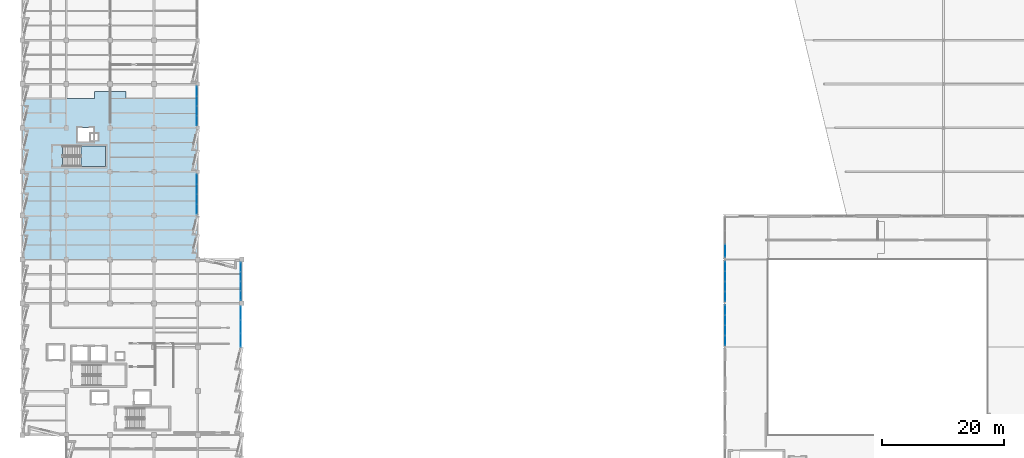
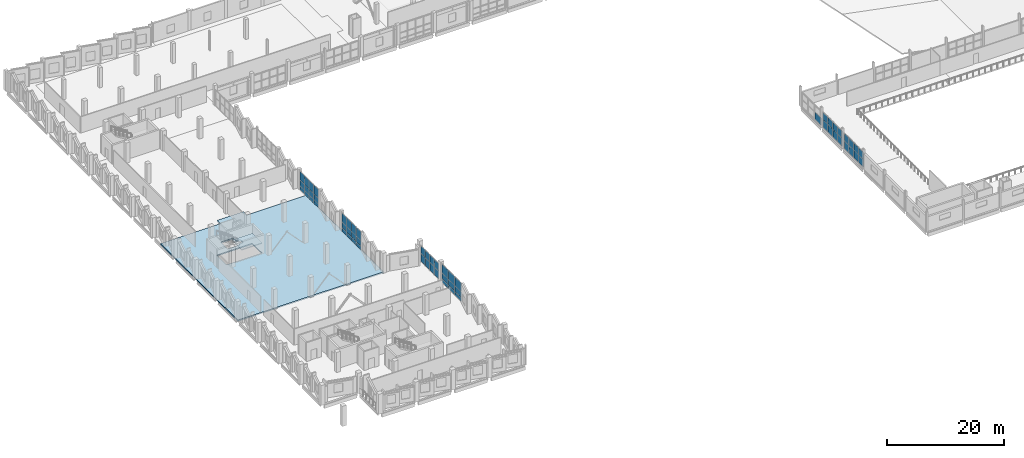
# One storey, part 59 of 94: 58 plates, 2 slabs, 8 elements without a shape of their own.
"""IFC4 building model written with IfcOpenShell, lengths in metres."""

from ifc_helpers import new_model, si_unit, direction, frame, origin, origin_2d, place, context, subcontext, project, spatial, polyline, rectangle, outline, extrude, material, layer, layer_set, type_object, element, aggregate, save


model = new_model("IFC4")

# Units and contexts
model_context = context("Model", 3, precision=1e-05, world=origin(), true_north=direction((0.0, 1.0)))
body_context = subcontext(model_context, "Body", "Model", "MODEL_VIEW")
ifc_project = project(units=[si_unit("LENGTHUNIT", "METRE"), si_unit("AREAUNIT", "SQUARE_METRE"), si_unit("VOLUMEUNIT", "CUBIC_METRE"), si_unit("PLANEANGLEUNIT", "RADIAN"), si_unit("MASSUNIT", "GRAM", prefix="KILO")], contexts=[model_context])

# Site, building, storey
site_placement = place(None, origin())
site = spatial("IfcSite", under=ifc_project, at=site_placement, CompositionType="ELEMENT")
building_placement = place(site_placement, origin())
building = spatial("IfcBuilding", under=site, at=building_placement, Name="Kalmorath City Hall", CompositionType="ELEMENT")
storey_placement = place(building_placement, frame((0.0, 0.0, 14.699951171875)))
storey = spatial("IfcBuildingStorey", under=building, at=storey_placement, Name="L03", CompositionType="ELEMENT", Elevation=14.699951171875)

# Curtain wall, plates
ifc_material_1 = material(Name="Anodised aluminium and laminated glass", Category="aluminium")
curtain_wall_type_1 = type_object("IfcCurtainWallType", Name="Unitised hurricane curtain wall 6420x3950 M1600", PredefinedType="NOTDEFINED", material=ifc_material_1)
curtain_wall_1_placement = place(storey_placement, origin())
curtain_wall_1 = element("IfcCurtainWall", 1, at=curtain_wall_1_placement, inside=storey, type_object=curtain_wall_type_1, Name="L03 curtain wall CW-64X40M16 #153", PredefinedType="NOTDEFINED")
ifc_material_2 = material(Name="Hurricane laminated low-E glass", Category="glass")
ifc_layer_1 = layer(ifc_material_2, 0.02392578125)
ifc_layer_set_1 = layer_set([ifc_layer_1], Name="Hurricane laminated low-E glass")
plate_type_1 = type_object("IfcPlateType", Name="Clerestory diffused glazed panel 24", PredefinedType="CURTAIN_PANEL", material=ifc_layer_set_1)
plate_1_placement = place(storey_placement, frame((28.639892578125, 63.59130859375, 0.06005859375), z_axis=(0.0, 0.0, 1.0), x_axis=(0.0, -1.0, 0.0)))
plate_1 = element("IfcPlate", 2, at=plate_1_placement, type_object=plate_type_1, Name="CW-64X40M16 panel 1.1", PredefinedType="CURTAIN_PANEL", context=body_context, shape_type="SweptSolid", body=[
    extrude(rectangle(XDim=1.507568359375, YDim=0.02392578125, at=origin_2d()), origin(), (0.0, 0.0, 1.0), 0.760009765625),
])
plate_2_placement = place(storey_placement, frame((28.639892578125, 63.59130859375, 0.880126953125), z_axis=(0.0, 0.0, 1.0), x_axis=(0.0, -1.0, 0.0)))
plate_2 = element("IfcPlate", 3, at=plate_2_placement, type_object=plate_type_1, Name="CW-64X40M16 panel 1.2", PredefinedType="CURTAIN_PANEL", context=body_context, shape_type="SweptSolid", body=[
    extrude(rectangle(XDim=1.507568359375, YDim=0.02392578125, at=origin_2d()), origin(), (0.0, 0.0, 1.0), 1.14404296875),
])
plate_3_placement = place(storey_placement, frame((28.639892578125, 63.59130859375, 2.083984375), z_axis=(0.0, 0.0, 1.0), x_axis=(0.0, -1.0, 0.0)))
plate_3 = element("IfcPlate", 4, at=plate_3_placement, type_object=plate_type_1, Name="CW-64X40M16 panel 1.3", PredefinedType="CURTAIN_PANEL", context=body_context, shape_type="SweptSolid", body=[
    extrude(rectangle(XDim=1.507568359375, YDim=0.02392578125, at=origin_2d()), origin(), (0.0, 0.0, 1.0), 1.805908203125),
])
plate_4_placement = place(storey_placement, frame((28.639892578125, 62.00244140625, 0.06005859375), z_axis=(0.0, 0.0, 1.0), x_axis=(0.0, -1.0, 0.0)))
plate_4 = element("IfcPlate", 5, at=plate_4_placement, type_object=plate_type_1, Name="CW-64X40M16 panel 2.1", PredefinedType="CURTAIN_PANEL", context=body_context, shape_type="SweptSolid", body=[
    extrude(rectangle(XDim=1.5400390625, YDim=0.02392578125, at=origin_2d()), origin(), (0.0, 0.0, 1.0), 0.760009765625),
])
plate_5_placement = place(storey_placement, frame((28.639892578125, 62.00244140625, 0.880126953125), z_axis=(0.0, 0.0, 1.0), x_axis=(0.0, -1.0, 0.0)))
plate_5 = element("IfcPlate", 6, at=plate_5_placement, type_object=plate_type_1, Name="CW-64X40M16 panel 2.2", PredefinedType="CURTAIN_PANEL", context=body_context, shape_type="SweptSolid", body=[
    extrude(rectangle(XDim=1.5400390625, YDim=0.02392578125, at=origin_2d()), origin(), (0.0, 0.0, 1.0), 1.14404296875),
])
plate_6_placement = place(storey_placement, frame((28.639892578125, 62.00244140625, 2.083984375), z_axis=(0.0, 0.0, 1.0), x_axis=(0.0, -1.0, 0.0)))
plate_6 = element("IfcPlate", 7, at=plate_6_placement, type_object=plate_type_1, Name="CW-64X40M16 panel 2.3", PredefinedType="CURTAIN_PANEL", context=body_context, shape_type="SweptSolid", body=[
    extrude(rectangle(XDim=1.5400390625, YDim=0.02392578125, at=origin_2d()), origin(), (0.0, 0.0, 1.0), 1.805908203125),
])
plate_7_placement = place(storey_placement, frame((28.639892578125, 60.3974609375, 0.06005859375), z_axis=(0.0, 0.0, 1.0), x_axis=(0.0, -1.0, 0.0)))
plate_7 = element("IfcPlate", 8, at=plate_7_placement, type_object=plate_type_1, Name="CW-64X40M16 panel 3.1", PredefinedType="CURTAIN_PANEL", context=body_context, shape_type="SweptSolid", body=[
    extrude(rectangle(XDim=1.5400390625, YDim=0.02392578125, at=origin_2d()), origin(), (0.0, 0.0, 1.0), 0.760009765625),
])
plate_8_placement = place(storey_placement, frame((28.639892578125, 60.3974609375, 0.880126953125), z_axis=(0.0, 0.0, 1.0), x_axis=(0.0, -1.0, 0.0)))
plate_8 = element("IfcPlate", 9, at=plate_8_placement, type_object=plate_type_1, Name="CW-64X40M16 panel 3.2", PredefinedType="CURTAIN_PANEL", context=body_context, shape_type="SweptSolid", body=[
    extrude(rectangle(XDim=1.5400390625, YDim=0.02392578125, at=origin_2d()), origin(), (0.0, 0.0, 1.0), 1.14404296875),
])
plate_9_placement = place(storey_placement, frame((28.639892578125, 60.3974609375, 2.083984375), z_axis=(0.0, 0.0, 1.0), x_axis=(0.0, -1.0, 0.0)))
plate_9 = element("IfcPlate", 10, at=plate_9_placement, type_object=plate_type_1, Name="CW-64X40M16 panel 3.3", PredefinedType="CURTAIN_PANEL", context=body_context, shape_type="SweptSolid", body=[
    extrude(rectangle(XDim=1.5400390625, YDim=0.02392578125, at=origin_2d()), origin(), (0.0, 0.0, 1.0), 1.805908203125),
])
plate_10_placement = place(storey_placement, frame((28.639892578125, 58.808837890625, 0.06005859375), z_axis=(0.0, 0.0, 1.0), x_axis=(0.0, -1.0, 0.0)))
plate_10 = element("IfcPlate", 11, at=plate_10_placement, type_object=plate_type_1, Name="CW-64X40M16 panel 4.1", PredefinedType="CURTAIN_PANEL", context=body_context, shape_type="SweptSolid", body=[
    extrude(rectangle(XDim=1.507568359375, YDim=0.02392578125, at=origin_2d()), origin(), (0.0, 0.0, 1.0), 0.760009765625),
])
plate_11_placement = place(storey_placement, frame((28.639892578125, 58.808837890625, 0.880126953125), z_axis=(0.0, 0.0, 1.0), x_axis=(0.0, -1.0, 0.0)))
plate_11 = element("IfcPlate", 12, at=plate_11_placement, type_object=plate_type_1, Name="CW-64X40M16 panel 4.2", PredefinedType="CURTAIN_PANEL", context=body_context, shape_type="SweptSolid", body=[
    extrude(rectangle(XDim=1.507568359375, YDim=0.02392578125, at=origin_2d()), origin(), (0.0, 0.0, 1.0), 1.14404296875),
])
plate_12_placement = place(storey_placement, frame((28.639892578125, 58.808837890625, 2.083984375), z_axis=(0.0, 0.0, 1.0), x_axis=(0.0, -1.0, 0.0)))
plate_12 = element("IfcPlate", 13, at=plate_12_placement, type_object=plate_type_1, Name="CW-64X40M16 panel 4.3", PredefinedType="CURTAIN_PANEL", context=body_context, shape_type="SweptSolid", body=[
    extrude(rectangle(XDim=1.507568359375, YDim=0.02392578125, at=origin_2d()), origin(), (0.0, 0.0, 1.0), 1.805908203125),
])
aggregate(curtain_wall_1, [plate_1, plate_2, plate_3, plate_4, plate_5, plate_6, plate_7, plate_8, plate_9, plate_10, plate_11, plate_12])

ifc_material_3 = material(Name="Anodised aluminium and laminated glass", Category="aluminium")
curtain_wall_type_2 = type_object("IfcCurtainWallType", Name="Unitised hurricane curtain wall 6543x3950 M1600", PredefinedType="NOTDEFINED", material=ifc_material_3)
curtain_wall_2_placement = place(storey_placement, origin())
curtain_wall_2 = element("IfcCurtainWall", 14, at=curtain_wall_2_placement, inside=storey, type_object=curtain_wall_type_2, Name="L03 curtain wall CW-65X40M16 #154", PredefinedType="NOTDEFINED")
plate_13_placement = place(storey_placement, frame((28.639892578125, 49.17578125, 0.06005859375), z_axis=(0.0, 0.0, 1.0), x_axis=(0.0, -1.0, 0.0)))
plate_13 = element("IfcPlate", 15, at=plate_13_placement, type_object=plate_type_1, Name="CW-65X40M16 panel 1.1", PredefinedType="CURTAIN_PANEL", context=body_context, shape_type="SweptSolid", body=[
    extrude(rectangle(XDim=1.538330078125, YDim=0.02392578125, at=origin_2d()), origin(), (0.0, 0.0, 1.0), 0.760009765625),
])
plate_14_placement = place(storey_placement, frame((28.639892578125, 49.17578125, 0.880126953125), z_axis=(0.0, 0.0, 1.0), x_axis=(0.0, -1.0, 0.0)))
plate_14 = element("IfcPlate", 16, at=plate_14_placement, type_object=plate_type_1, Name="CW-65X40M16 panel 1.2", PredefinedType="CURTAIN_PANEL", context=body_context, shape_type="SweptSolid", body=[
    extrude(rectangle(XDim=1.538330078125, YDim=0.02392578125, at=origin_2d()), origin(), (0.0, 0.0, 1.0), 1.14404296875),
])
plate_15_placement = place(storey_placement, frame((28.639892578125, 49.17578125, 2.083984375), z_axis=(0.0, 0.0, 1.0), x_axis=(0.0, -1.0, 0.0)))
plate_15 = element("IfcPlate", 17, at=plate_15_placement, type_object=plate_type_1, Name="CW-65X40M16 panel 1.3", PredefinedType="CURTAIN_PANEL", context=body_context, shape_type="SweptSolid", body=[
    extrude(rectangle(XDim=1.538330078125, YDim=0.02392578125, at=origin_2d()), origin(), (0.0, 0.0, 1.0), 1.805908203125),
])
plate_16_placement = place(storey_placement, frame((28.639892578125, 47.55615234375, 0.06005859375), z_axis=(0.0, 0.0, 1.0), x_axis=(0.0, -1.0, 0.0)))
plate_16 = element("IfcPlate", 18, at=plate_16_placement, type_object=plate_type_1, Name="CW-65X40M16 panel 2.1", PredefinedType="CURTAIN_PANEL", context=body_context, shape_type="SweptSolid", body=[
    extrude(rectangle(XDim=1.57080078125, YDim=0.02392578125, at=origin_2d()), origin(), (0.0, 0.0, 1.0), 0.760009765625),
])
plate_17_placement = place(storey_placement, frame((28.639892578125, 47.55615234375, 0.880126953125), z_axis=(0.0, 0.0, 1.0), x_axis=(0.0, -1.0, 0.0)))
plate_17 = element("IfcPlate", 19, at=plate_17_placement, type_object=plate_type_1, Name="CW-65X40M16 panel 2.2", PredefinedType="CURTAIN_PANEL", context=body_context, shape_type="SweptSolid", body=[
    extrude(rectangle(XDim=1.57080078125, YDim=0.02392578125, at=origin_2d()), origin(), (0.0, 0.0, 1.0), 1.14404296875),
])
plate_18_placement = place(storey_placement, frame((28.639892578125, 47.55615234375, 2.083984375), z_axis=(0.0, 0.0, 1.0), x_axis=(0.0, -1.0, 0.0)))
plate_18 = element("IfcPlate", 20, at=plate_18_placement, type_object=plate_type_1, Name="CW-65X40M16 panel 2.3", PredefinedType="CURTAIN_PANEL", context=body_context, shape_type="SweptSolid", body=[
    extrude(rectangle(XDim=1.57080078125, YDim=0.02392578125, at=origin_2d()), origin(), (0.0, 0.0, 1.0), 1.805908203125),
])
plate_19_placement = place(storey_placement, frame((28.639892578125, 45.92041015625, 0.06005859375), z_axis=(0.0, 0.0, 1.0), x_axis=(0.0, -1.0, 0.0)))
plate_19 = element("IfcPlate", 21, at=plate_19_placement, type_object=plate_type_1, Name="CW-65X40M16 panel 3.1", PredefinedType="CURTAIN_PANEL", context=body_context, shape_type="SweptSolid", body=[
    extrude(rectangle(XDim=1.57080078125, YDim=0.02392578125, at=origin_2d()), origin(), (0.0, 0.0, 1.0), 0.760009765625),
])
plate_20_placement = place(storey_placement, frame((28.639892578125, 45.92041015625, 0.880126953125), z_axis=(0.0, 0.0, 1.0), x_axis=(0.0, -1.0, 0.0)))
plate_20 = element("IfcPlate", 22, at=plate_20_placement, type_object=plate_type_1, Name="CW-65X40M16 panel 3.2", PredefinedType="CURTAIN_PANEL", context=body_context, shape_type="SweptSolid", body=[
    extrude(rectangle(XDim=1.57080078125, YDim=0.02392578125, at=origin_2d()), origin(), (0.0, 0.0, 1.0), 1.14404296875),
])
plate_21_placement = place(storey_placement, frame((28.639892578125, 45.92041015625, 2.083984375), z_axis=(0.0, 0.0, 1.0), x_axis=(0.0, -1.0, 0.0)))
plate_21 = element("IfcPlate", 23, at=plate_21_placement, type_object=plate_type_1, Name="CW-65X40M16 panel 3.3", PredefinedType="CURTAIN_PANEL", context=body_context, shape_type="SweptSolid", body=[
    extrude(rectangle(XDim=1.57080078125, YDim=0.02392578125, at=origin_2d()), origin(), (0.0, 0.0, 1.0), 1.805908203125),
])
plate_22_placement = place(storey_placement, frame((28.639892578125, 44.30078125, 0.06005859375), z_axis=(0.0, 0.0, 1.0), x_axis=(0.0, -1.0, 0.0)))
plate_22 = element("IfcPlate", 24, at=plate_22_placement, type_object=plate_type_1, Name="CW-65X40M16 panel 4.1", PredefinedType="CURTAIN_PANEL", context=body_context, shape_type="SweptSolid", body=[
    extrude(rectangle(XDim=1.538330078125, YDim=0.02392578125, at=origin_2d()), origin(), (0.0, 0.0, 1.0), 0.760009765625),
])
plate_23_placement = place(storey_placement, frame((28.639892578125, 44.30078125, 0.880126953125), z_axis=(0.0, 0.0, 1.0), x_axis=(0.0, -1.0, 0.0)))
plate_23 = element("IfcPlate", 25, at=plate_23_placement, type_object=plate_type_1, Name="CW-65X40M16 panel 4.2", PredefinedType="CURTAIN_PANEL", context=body_context, shape_type="SweptSolid", body=[
    extrude(rectangle(XDim=1.538330078125, YDim=0.02392578125, at=origin_2d()), origin(), (0.0, 0.0, 1.0), 1.14404296875),
])
plate_24_placement = place(storey_placement, frame((28.639892578125, 44.30078125, 2.083984375), z_axis=(0.0, 0.0, 1.0), x_axis=(0.0, -1.0, 0.0)))
plate_24 = element("IfcPlate", 26, at=plate_24_placement, type_object=plate_type_1, Name="CW-65X40M16 panel 4.3", PredefinedType="CURTAIN_PANEL", context=body_context, shape_type="SweptSolid", body=[
    extrude(rectangle(XDim=1.538330078125, YDim=0.02392578125, at=origin_2d()), origin(), (0.0, 0.0, 1.0), 1.805908203125),
])
aggregate(curtain_wall_2, [plate_13, plate_14, plate_15, plate_16, plate_17, plate_18, plate_19, plate_20, plate_21, plate_22, plate_23, plate_24])

# Stair, slab
ifc_material_4 = material(Name="Concrete C40/50", Category="concrete")
stair_type = type_object("IfcStairType", Name="Dogleg concrete exit stair 24R x 175mm W1550", PredefinedType="HALF_TURN_STAIR", material=ifc_material_4)
stair_placement = place(storey_placement, origin())
stair = element("IfcStair", 27, at=stair_placement, inside=storey, type_object=stair_type, Name="L03 Protected exit stair ST-3", PredefinedType="HALF_TURN_STAIR")
ifc_material_5 = material(Name="Concrete C40/50", Category="concrete")
ifc_layer_2 = layer(ifc_material_5, 0.199951171875)
ifc_layer_set_2 = layer_set([ifc_layer_2], Name="Concrete C40/50")
slab_type_1 = type_object("IfcSlabType", Name="Concrete stair half-landing slab 200", PredefinedType="LANDING", material=ifc_layer_set_2)
slab_1_placement = place(storey_placement, frame((0.0, 0.0, 1.900146484375)))
slab_1 = element("IfcSlab", 28, at=slab_1_placement, type_object=slab_type_1, Name="ST-3 landing 1", PredefinedType="LANDING", context=body_context, shape_type="SweptSolid", body=[
    extrude(outline(polyline([(9.6298828125, 51.300048828125), (13.60009765625, 51.300048828125), (13.60009765625, 54.60009765625), (9.6298828125, 54.60009765625), (9.6298828125, 51.300048828125)])), origin(), (0.0, 0.0, 1.0), 0.199951171875),
])
aggregate(stair, [slab_1])

# Slab
ifc_material_6 = material(Name="Concrete C40/50", Category="concrete")
ifc_layer_3 = layer(ifc_material_6, 0.260009765625)
ifc_layer_set_3 = layer_set([ifc_layer_3], Name="Concrete C40/50")
slab_type_2 = type_object("IfcSlabType", Name="Concrete upper floor slab 260", PredefinedType="FLOOR", material=ifc_layer_set_3)
slab_2_placement = place(storey_placement, frame((0.0, 0.0, -0.260009765625)))
element("IfcSlab", 29, at=slab_2_placement, inside=storey, type_object=slab_type_2, Name="L03 West Sawtooth Wing and Civic Storm Arcade slab FS4-1", PredefinedType="FLOOR", context=body_context, shape_type="SweptSolid", body=[
    extrude(outline(polyline([(0.0, 36.0), (0.0, 62.39990234375), (11.800048828125, 62.39990234375), (11.800048828125, 63.550048828125), (17.0, 63.550048828125), (17.0, 62.39990234375), (28.800048828125, 62.39990234375), (28.800048828125, 36.0), (0.0, 36.0)]), holes=[polyline([(6.590087890625, 54.60009765625), (6.590087890625, 51.300048828125), (13.60009765625, 51.300048828125), (13.60009765625, 54.60009765625), (6.590087890625, 54.60009765625)]), polyline([(11.60009765625, 55.60009765625), (12.39990234375, 55.60009765625), (12.39990234375, 56.679931640625), (11.60009765625, 56.679931640625), (11.60009765625, 57.60009765625), (9.10009765625, 57.60009765625), (9.10009765625, 55.300048828125), (11.60009765625, 55.300048828125), (11.60009765625, 55.60009765625)])]), origin(), (0.0, 0.0, 1.0), 0.260009765625),
])

# Curtain wall, plates
ifc_material_7 = material(Name="Anodised aluminium and laminated glass", Category="aluminium")
curtain_wall_type_3 = type_object("IfcCurtainWallType", Name="Unitised hurricane curtain wall 6270x3366 M1500", PredefinedType="NOTDEFINED", material=ifc_material_7)
curtain_wall_3_placement = place(storey_placement, origin())
curtain_wall_3 = element("IfcCurtainWall", 30, at=curtain_wall_3_placement, inside=storey, type_object=curtain_wall_type_3, Name="L03 curtain wall CW-63X34M15 #155", PredefinedType="NOTDEFINED")
ifc_material_8 = material(Name="Hurricane laminated low-E glass", Category="glass")
ifc_layer_4 = layer(ifc_material_8, 0.031982421875)
ifc_layer_set_4 = layer_set([ifc_layer_4], Name="Hurricane laminated low-E glass")
plate_type_2 = type_object("IfcPlateType", Name="Hurricane impact double-glazed panel 32", PredefinedType="CURTAIN_PANEL", material=ifc_layer_set_4)
plate_25_placement = place(storey_placement, frame((35.840087890625, 34.732421875, 0.06494140625), z_axis=(0.0, 0.0, 1.0), x_axis=(0.0, -1.0, 0.0)))
plate_25 = element("IfcPlate", 31, at=plate_25_placement, type_object=plate_type_2, Name="CW-63X34M15 panel 1.1", PredefinedType="CURTAIN_PANEL", context=body_context, shape_type="SweptSolid", body=[
    extrude(rectangle(XDim=1.455078125, YDim=0.031982421875, at=origin_2d()), origin(), (0.0, 0.0, 1.0), 1.652587890625),
])
plate_26_placement = place(storey_placement, frame((35.840087890625, 34.732421875, 1.782470703125), z_axis=(0.0, 0.0, 1.0), x_axis=(0.0, -1.0, 0.0)))
plate_26 = element("IfcPlate", 32, at=plate_26_placement, type_object=plate_type_2, Name="CW-63X34M15 panel 1.2", PredefinedType="CURTAIN_PANEL", context=body_context, shape_type="SweptSolid", body=[
    extrude(rectangle(XDim=1.455078125, YDim=0.031982421875, at=origin_2d()), origin(), (0.0, 0.0, 1.0), 1.5185546875),
])
plate_27_placement = place(storey_placement, frame((35.840087890625, 33.183837890625, 0.06494140625), z_axis=(0.0, 0.0, 1.0), x_axis=(0.0, -1.0, 0.0)))
plate_27 = element("IfcPlate", 33, at=plate_27_placement, type_object=plate_type_2, Name="CW-63X34M15 panel 2.1", PredefinedType="CURTAIN_PANEL", context=body_context, shape_type="SweptSolid", body=[
    extrude(rectangle(XDim=1.492431640625, YDim=0.031982421875, at=origin_2d()), origin(), (0.0, 0.0, 1.0), 1.652587890625),
])
plate_28_placement = place(storey_placement, frame((35.840087890625, 33.183837890625, 1.782470703125), z_axis=(0.0, 0.0, 1.0), x_axis=(0.0, -1.0, 0.0)))
plate_28 = element("IfcPlate", 34, at=plate_28_placement, type_object=plate_type_2, Name="CW-63X34M15 panel 2.2", PredefinedType="CURTAIN_PANEL", context=body_context, shape_type="SweptSolid", body=[
    extrude(rectangle(XDim=1.492431640625, YDim=0.031982421875, at=origin_2d()), origin(), (0.0, 0.0, 1.0), 1.5185546875),
])
plate_29_placement = place(storey_placement, frame((35.840087890625, 31.6162109375, 0.06494140625), z_axis=(0.0, 0.0, 1.0), x_axis=(0.0, -1.0, 0.0)))
plate_29 = element("IfcPlate", 35, at=plate_29_placement, type_object=plate_type_2, Name="CW-63X34M15 panel 3.1", PredefinedType="CURTAIN_PANEL", context=body_context, shape_type="SweptSolid", body=[
    extrude(rectangle(XDim=1.492431640625, YDim=0.031982421875, at=origin_2d()), origin(), (0.0, 0.0, 1.0), 1.652587890625),
])
plate_30_placement = place(storey_placement, frame((35.840087890625, 31.6162109375, 1.782470703125), z_axis=(0.0, 0.0, 1.0), x_axis=(0.0, -1.0, 0.0)))
plate_30 = element("IfcPlate", 36, at=plate_30_placement, type_object=plate_type_2, Name="CW-63X34M15 panel 3.2", PredefinedType="CURTAIN_PANEL", context=body_context, shape_type="SweptSolid", body=[
    extrude(rectangle(XDim=1.492431640625, YDim=0.031982421875, at=origin_2d()), origin(), (0.0, 0.0, 1.0), 1.5185546875),
])
plate_31_placement = place(storey_placement, frame((35.840087890625, 30.0673828125, 0.06494140625), z_axis=(0.0, 0.0, 1.0), x_axis=(0.0, -1.0, 0.0)))
plate_31 = element("IfcPlate", 37, at=plate_31_placement, type_object=plate_type_2, Name="CW-63X34M15 panel 4.1", PredefinedType="CURTAIN_PANEL", context=body_context, shape_type="SweptSolid", body=[
    extrude(rectangle(XDim=1.455078125, YDim=0.031982421875, at=origin_2d()), origin(), (0.0, 0.0, 1.0), 1.652587890625),
])
plate_32_placement = place(storey_placement, frame((35.840087890625, 30.0673828125, 1.782470703125), z_axis=(0.0, 0.0, 1.0), x_axis=(0.0, -1.0, 0.0)))
plate_32 = element("IfcPlate", 38, at=plate_32_placement, type_object=plate_type_2, Name="CW-63X34M15 panel 4.2", PredefinedType="CURTAIN_PANEL", context=body_context, shape_type="SweptSolid", body=[
    extrude(rectangle(XDim=1.455078125, YDim=0.031982421875, at=origin_2d()), origin(), (0.0, 0.0, 1.0), 1.5185546875),
])
aggregate(curtain_wall_3, [plate_25, plate_26, plate_27, plate_28, plate_29, plate_30, plate_31, plate_32])

ifc_material_9 = material(Name="Anodised aluminium and laminated glass", Category="aluminium")
curtain_wall_type_4 = type_object("IfcCurtainWallType", Name="Unitised hurricane curtain wall 6735x3950 M2100", PredefinedType="NOTDEFINED", material=ifc_material_9)
curtain_wall_4_placement = place(storey_placement, origin())
curtain_wall_4 = element("IfcCurtainWall", 39, at=curtain_wall_4_placement, inside=storey, type_object=curtain_wall_type_4, Name="L03 curtain wall CW-67X40M21 #156", PredefinedType="NOTDEFINED")
plate_33_placement = place(storey_placement, frame((35.840087890625, 27.19384765625, 0.065185546875), z_axis=(0.0, 0.0, 1.0), x_axis=(0.0, -1.0, 0.0)))
plate_33 = element("IfcPlate", 40, at=plate_33_placement, type_object=plate_type_2, Name="CW-67X40M21 panel 1.1", PredefinedType="CURTAIN_PANEL", context=body_context, shape_type="SweptSolid", body=[
    extrude(rectangle(XDim=2.132568359375, YDim=0.031982421875, at=origin_2d()), origin(), (0.0, 0.0, 1.0), 0.75244140625),
])
plate_34_placement = place(storey_placement, frame((35.840087890625, 27.19384765625, 0.8828125), z_axis=(0.0, 0.0, 1.0), x_axis=(0.0, -1.0, 0.0)))
plate_34 = element("IfcPlate", 41, at=plate_34_placement, type_object=plate_type_2, Name="CW-67X40M21 panel 1.2", PredefinedType="CURTAIN_PANEL", context=body_context, shape_type="SweptSolid", body=[
    extrude(rectangle(XDim=2.132568359375, YDim=0.031982421875, at=origin_2d()), origin(), (0.0, 0.0, 1.0), 1.138916015625),
])
plate_35_placement = place(storey_placement, frame((35.840087890625, 27.19384765625, 2.08642578125), z_axis=(0.0, 0.0, 1.0), x_axis=(0.0, -1.0, 0.0)))
plate_35 = element("IfcPlate", 42, at=plate_35_placement, type_object=plate_type_2, Name="CW-67X40M21 panel 1.3", PredefinedType="CURTAIN_PANEL", context=body_context, shape_type="SweptSolid", body=[
    extrude(rectangle(XDim=2.132568359375, YDim=0.031982421875, at=origin_2d()), origin(), (0.0, 0.0, 1.0), 1.798583984375),
])
plate_36_placement = place(storey_placement, frame((35.840087890625, 24.967529296875, 0.065185546875), z_axis=(0.0, 0.0, 1.0), x_axis=(0.0, -1.0, 0.0)))
plate_36 = element("IfcPlate", 43, at=plate_36_placement, type_object=plate_type_2, Name="CW-67X40M21 panel 2.1", PredefinedType="CURTAIN_PANEL", context=body_context, shape_type="SweptSolid", body=[
    extrude(rectangle(XDim=2.169921875, YDim=0.031982421875, at=origin_2d()), origin(), (0.0, 0.0, 1.0), 0.75244140625),
])
plate_37_placement = place(storey_placement, frame((35.840087890625, 24.967529296875, 0.8828125), z_axis=(0.0, 0.0, 1.0), x_axis=(0.0, -1.0, 0.0)))
plate_37 = element("IfcPlate", 44, at=plate_37_placement, type_object=plate_type_2, Name="CW-67X40M21 panel 2.2", PredefinedType="CURTAIN_PANEL", context=body_context, shape_type="SweptSolid", body=[
    extrude(rectangle(XDim=2.169921875, YDim=0.031982421875, at=origin_2d()), origin(), (0.0, 0.0, 1.0), 1.138916015625),
])
plate_38_placement = place(storey_placement, frame((35.840087890625, 24.967529296875, 2.08642578125), z_axis=(0.0, 0.0, 1.0), x_axis=(0.0, -1.0, 0.0)))
plate_38 = element("IfcPlate", 45, at=plate_38_placement, type_object=plate_type_2, Name="CW-67X40M21 panel 2.3", PredefinedType="CURTAIN_PANEL", context=body_context, shape_type="SweptSolid", body=[
    extrude(rectangle(XDim=2.169921875, YDim=0.031982421875, at=origin_2d()), origin(), (0.0, 0.0, 1.0), 1.798583984375),
])
plate_39_placement = place(storey_placement, frame((35.840087890625, 22.7412109375, 0.065185546875), z_axis=(0.0, 0.0, 1.0), x_axis=(0.0, -1.0, 0.0)))
plate_39 = element("IfcPlate", 46, at=plate_39_placement, type_object=plate_type_2, Name="CW-67X40M21 panel 3.1", PredefinedType="CURTAIN_PANEL", context=body_context, shape_type="SweptSolid", body=[
    extrude(rectangle(XDim=2.132568359375, YDim=0.031982421875, at=origin_2d()), origin(), (0.0, 0.0, 1.0), 0.75244140625),
])
plate_40_placement = place(storey_placement, frame((35.840087890625, 22.7412109375, 0.8828125), z_axis=(0.0, 0.0, 1.0), x_axis=(0.0, -1.0, 0.0)))
plate_40 = element("IfcPlate", 47, at=plate_40_placement, type_object=plate_type_2, Name="CW-67X40M21 panel 3.2", PredefinedType="CURTAIN_PANEL", context=body_context, shape_type="SweptSolid", body=[
    extrude(rectangle(XDim=2.132568359375, YDim=0.031982421875, at=origin_2d()), origin(), (0.0, 0.0, 1.0), 1.138916015625),
])
plate_41_placement = place(storey_placement, frame((35.840087890625, 22.7412109375, 2.08642578125), z_axis=(0.0, 0.0, 1.0), x_axis=(0.0, -1.0, 0.0)))
plate_41 = element("IfcPlate", 48, at=plate_41_placement, type_object=plate_type_2, Name="CW-67X40M21 panel 3.3", PredefinedType="CURTAIN_PANEL", context=body_context, shape_type="SweptSolid", body=[
    extrude(rectangle(XDim=2.132568359375, YDim=0.031982421875, at=origin_2d()), origin(), (0.0, 0.0, 1.0), 1.798583984375),
])
aggregate(curtain_wall_4, [plate_33, plate_34, plate_35, plate_36, plate_37, plate_38, plate_39, plate_40, plate_41])

ifc_material_10 = material(Name="Anodised aluminium and laminated glass", Category="aluminium")
curtain_wall_type_5 = type_object("IfcCurtainWallType", Name="Unitised hurricane curtain wall 6651x3235 M1800", PredefinedType="NOTDEFINED", material=ifc_material_10)
curtain_wall_5_placement = place(storey_placement, origin())
curtain_wall_5 = element("IfcCurtainWall", 49, at=curtain_wall_5_placement, inside=storey, type_object=curtain_wall_type_5, Name="L03 curtain wall CW-67X32M18 #157", PredefinedType="NOTDEFINED")
plate_42_placement = place(storey_placement, frame((115.360107421875, 22.724609375, 0.06494140625), z_axis=(0.0, 0.0, 1.0), x_axis=(0.0, 1.0, 0.0)))
plate_42 = element("IfcPlate", 50, at=plate_42_placement, type_object=plate_type_2, Name="CW-67X32M18 panel 1.1", PredefinedType="CURTAIN_PANEL", context=body_context, shape_type="SweptSolid", body=[
    extrude(rectangle(XDim=1.55029296875, YDim=0.031982421875, at=origin_2d()), origin(), (0.0, 0.0, 1.0), 1.58447265625),
])
plate_43_placement = place(storey_placement, frame((115.360107421875, 22.724609375, 1.714599609375), z_axis=(0.0, 0.0, 1.0), x_axis=(0.0, 1.0, 0.0)))
plate_43 = element("IfcPlate", 51, at=plate_43_placement, type_object=plate_type_2, Name="CW-67X32M18 panel 1.2", PredefinedType="CURTAIN_PANEL", context=body_context, shape_type="SweptSolid", body=[
    extrude(rectangle(XDim=1.55029296875, YDim=0.031982421875, at=origin_2d()), origin(), (0.0, 0.0, 1.0), 1.45556640625),
])
plate_44_placement = place(storey_placement, frame((115.360107421875, 24.36865234375, 0.06494140625), z_axis=(0.0, 0.0, 1.0), x_axis=(0.0, 1.0, 0.0)))
plate_44 = element("IfcPlate", 52, at=plate_44_placement, type_object=plate_type_2, Name="CW-67X32M18 panel 2.1", PredefinedType="CURTAIN_PANEL", context=body_context, shape_type="SweptSolid", body=[
    extrude(rectangle(XDim=1.587646484375, YDim=0.031982421875, at=origin_2d()), origin(), (0.0, 0.0, 1.0), 1.58447265625),
])
plate_45_placement = place(storey_placement, frame((115.360107421875, 24.36865234375, 1.714599609375), z_axis=(0.0, 0.0, 1.0), x_axis=(0.0, 1.0, 0.0)))
plate_45 = element("IfcPlate", 53, at=plate_45_placement, type_object=plate_type_2, Name="CW-67X32M18 panel 2.2", PredefinedType="CURTAIN_PANEL", context=body_context, shape_type="SweptSolid", body=[
    extrude(rectangle(XDim=1.587646484375, YDim=0.031982421875, at=origin_2d()), origin(), (0.0, 0.0, 1.0), 1.45556640625),
])
plate_46_placement = place(storey_placement, frame((115.360107421875, 26.031494140625, 0.06494140625), z_axis=(0.0, 0.0, 1.0), x_axis=(0.0, 1.0, 0.0)))
plate_46 = element("IfcPlate", 54, at=plate_46_placement, type_object=plate_type_2, Name="CW-67X32M18 panel 3.1", PredefinedType="CURTAIN_PANEL", context=body_context, shape_type="SweptSolid", body=[
    extrude(rectangle(XDim=1.587646484375, YDim=0.031982421875, at=origin_2d()), origin(), (0.0, 0.0, 1.0), 1.58447265625),
])
plate_47_placement = place(storey_placement, frame((115.360107421875, 26.031494140625, 1.714599609375), z_axis=(0.0, 0.0, 1.0), x_axis=(0.0, 1.0, 0.0)))
plate_47 = element("IfcPlate", 55, at=plate_47_placement, type_object=plate_type_2, Name="CW-67X32M18 panel 3.2", PredefinedType="CURTAIN_PANEL", context=body_context, shape_type="SweptSolid", body=[
    extrude(rectangle(XDim=1.587646484375, YDim=0.031982421875, at=origin_2d()), origin(), (0.0, 0.0, 1.0), 1.45556640625),
])
plate_48_placement = place(storey_placement, frame((115.360107421875, 27.67529296875, 0.06494140625), z_axis=(0.0, 0.0, 1.0), x_axis=(0.0, 1.0, 0.0)))
plate_48 = element("IfcPlate", 56, at=plate_48_placement, type_object=plate_type_2, Name="CW-67X32M18 panel 4.1", PredefinedType="CURTAIN_PANEL", context=body_context, shape_type="SweptSolid", body=[
    extrude(rectangle(XDim=1.55029296875, YDim=0.031982421875, at=origin_2d()), origin(), (0.0, 0.0, 1.0), 1.58447265625),
])
plate_49_placement = place(storey_placement, frame((115.360107421875, 27.67529296875, 1.714599609375), z_axis=(0.0, 0.0, 1.0), x_axis=(0.0, 1.0, 0.0)))
plate_49 = element("IfcPlate", 57, at=plate_49_placement, type_object=plate_type_2, Name="CW-67X32M18 panel 4.2", PredefinedType="CURTAIN_PANEL", context=body_context, shape_type="SweptSolid", body=[
    extrude(rectangle(XDim=1.55029296875, YDim=0.031982421875, at=origin_2d()), origin(), (0.0, 0.0, 1.0), 1.45556640625),
])
aggregate(curtain_wall_5, [plate_42, plate_43, plate_44, plate_45, plate_46, plate_47, plate_48, plate_49])

ifc_material_11 = material(Name="Anodised aluminium and laminated glass", Category="aluminium")
curtain_wall_type_6 = type_object("IfcCurtainWallType", Name="Unitised hurricane curtain wall 6651x3235 M1500", PredefinedType="NOTDEFINED", material=ifc_material_11)
curtain_wall_6_placement = place(storey_placement, origin())
curtain_wall_6 = element("IfcCurtainWall", 58, at=curtain_wall_6_placement, inside=storey, type_object=curtain_wall_type_6, Name="L03 curtain wall CW-67X32M15 #158", PredefinedType="NOTDEFINED")
plate_50_placement = place(storey_placement, frame((115.360107421875, 29.924560546875, 0.06494140625), z_axis=(0.0, 0.0, 1.0), x_axis=(0.0, 1.0, 0.0)))
plate_50 = element("IfcPlate", 59, at=plate_50_placement, type_object=plate_type_2, Name="CW-67X32M15 panel 1.1", PredefinedType="CURTAIN_PANEL", context=body_context, shape_type="SweptSolid", body=[
    extrude(rectangle(XDim=1.55029296875, YDim=0.031982421875, at=origin_2d()), origin(), (0.0, 0.0, 1.0), 1.58447265625),
])
plate_51_placement = place(storey_placement, frame((115.360107421875, 29.924560546875, 1.714599609375), z_axis=(0.0, 0.0, 1.0), x_axis=(0.0, 1.0, 0.0)))
plate_51 = element("IfcPlate", 60, at=plate_51_placement, type_object=plate_type_2, Name="CW-67X32M15 panel 1.2", PredefinedType="CURTAIN_PANEL", context=body_context, shape_type="SweptSolid", body=[
    extrude(rectangle(XDim=1.55029296875, YDim=0.031982421875, at=origin_2d()), origin(), (0.0, 0.0, 1.0), 1.45556640625),
])
plate_52_placement = place(storey_placement, frame((115.360107421875, 31.568603515625, 0.06494140625), z_axis=(0.0, 0.0, 1.0), x_axis=(0.0, 1.0, 0.0)))
plate_52 = element("IfcPlate", 61, at=plate_52_placement, type_object=plate_type_2, Name="CW-67X32M15 panel 2.1", PredefinedType="CURTAIN_PANEL", context=body_context, shape_type="SweptSolid", body=[
    extrude(rectangle(XDim=1.587646484375, YDim=0.031982421875, at=origin_2d()), origin(), (0.0, 0.0, 1.0), 1.58447265625),
])
plate_53_placement = place(storey_placement, frame((115.360107421875, 31.568603515625, 1.714599609375), z_axis=(0.0, 0.0, 1.0), x_axis=(0.0, 1.0, 0.0)))
plate_53 = element("IfcPlate", 62, at=plate_53_placement, type_object=plate_type_2, Name="CW-67X32M15 panel 2.2", PredefinedType="CURTAIN_PANEL", context=body_context, shape_type="SweptSolid", body=[
    extrude(rectangle(XDim=1.587646484375, YDim=0.031982421875, at=origin_2d()), origin(), (0.0, 0.0, 1.0), 1.45556640625),
])
plate_54_placement = place(storey_placement, frame((115.360107421875, 33.2314453125, 0.06494140625), z_axis=(0.0, 0.0, 1.0), x_axis=(0.0, 1.0, 0.0)))
plate_54 = element("IfcPlate", 63, at=plate_54_placement, type_object=plate_type_2, Name="CW-67X32M15 panel 3.1", PredefinedType="CURTAIN_PANEL", context=body_context, shape_type="SweptSolid", body=[
    extrude(rectangle(XDim=1.587646484375, YDim=0.031982421875, at=origin_2d()), origin(), (0.0, 0.0, 1.0), 1.58447265625),
])
plate_55_placement = place(storey_placement, frame((115.360107421875, 33.2314453125, 1.714599609375), z_axis=(0.0, 0.0, 1.0), x_axis=(0.0, 1.0, 0.0)))
plate_55 = element("IfcPlate", 64, at=plate_55_placement, type_object=plate_type_2, Name="CW-67X32M15 panel 3.2", PredefinedType="CURTAIN_PANEL", context=body_context, shape_type="SweptSolid", body=[
    extrude(rectangle(XDim=1.587646484375, YDim=0.031982421875, at=origin_2d()), origin(), (0.0, 0.0, 1.0), 1.45556640625),
])
plate_56_placement = place(storey_placement, frame((115.360107421875, 34.87548828125, 0.06494140625), z_axis=(0.0, 0.0, 1.0), x_axis=(0.0, 1.0, 0.0)))
plate_56 = element("IfcPlate", 65, at=plate_56_placement, type_object=plate_type_2, Name="CW-67X32M15 panel 4.1", PredefinedType="CURTAIN_PANEL", context=body_context, shape_type="SweptSolid", body=[
    extrude(rectangle(XDim=1.55029296875, YDim=0.031982421875, at=origin_2d()), origin(), (0.0, 0.0, 1.0), 1.58447265625),
])
plate_57_placement = place(storey_placement, frame((115.360107421875, 34.87548828125, 1.714599609375), z_axis=(0.0, 0.0, 1.0), x_axis=(0.0, 1.0, 0.0)))
plate_57 = element("IfcPlate", 66, at=plate_57_placement, type_object=plate_type_2, Name="CW-67X32M15 panel 4.2", PredefinedType="CURTAIN_PANEL", context=body_context, shape_type="SweptSolid", body=[
    extrude(rectangle(XDim=1.55029296875, YDim=0.031982421875, at=origin_2d()), origin(), (0.0, 0.0, 1.0), 1.45556640625),
])
aggregate(curtain_wall_6, [plate_50, plate_51, plate_52, plate_53, plate_54, plate_55, plate_56, plate_57])

# Curtain wall, plate
ifc_material_12 = material(Name="Anodised aluminium and laminated glass", Category="aluminium")
curtain_wall_type_7 = type_object("IfcCurtainWallType", Name="Unitised hurricane curtain wall 6651x3018 M2100", PredefinedType="NOTDEFINED", material=ifc_material_12)
curtain_wall_7_placement = place(storey_placement, origin())
curtain_wall_7 = element("IfcCurtainWall", 67, at=curtain_wall_7_placement, inside=storey, type_object=curtain_wall_type_7, Name="L03 curtain wall CW-67X30M21 #159", PredefinedType="NOTDEFINED")
plate_58_placement = place(storey_placement, frame((115.360107421875, 37.40185546875, 0.06494140625), z_axis=(0.0, 0.0, 1.0), x_axis=(0.0, 1.0, 0.0)))
plate_58 = element("IfcPlate", 68, at=plate_58_placement, type_object=plate_type_2, Name="CW-67X30M21 panel 1.1", PredefinedType="CURTAIN_PANEL", context=body_context, shape_type="SweptSolid", body=[
    extrude(rectangle(XDim=2.1044921875, YDim=0.031982421875, at=origin_2d()), origin(), (0.0, 0.0, 1.0), 1.471435546875),
])
aggregate(curtain_wall_7, [plate_58])

save(model, "model.ifc")
